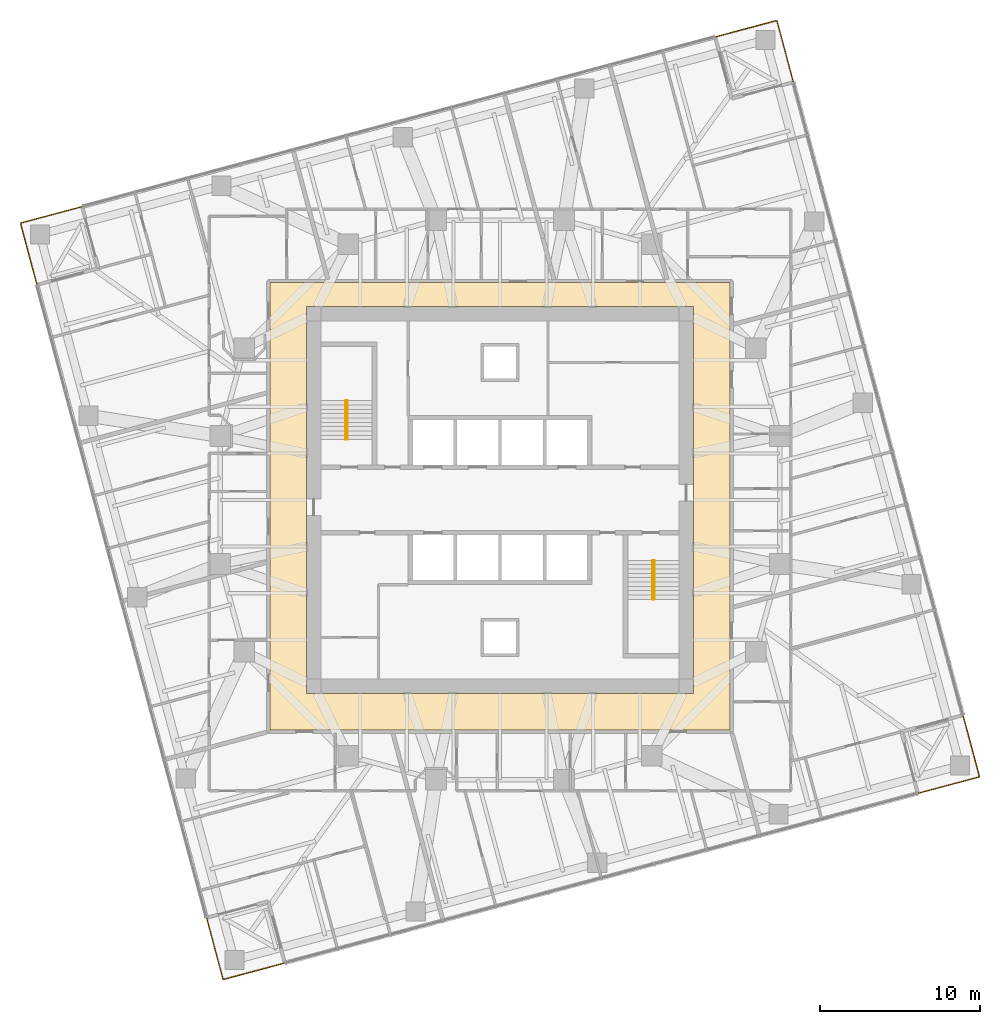
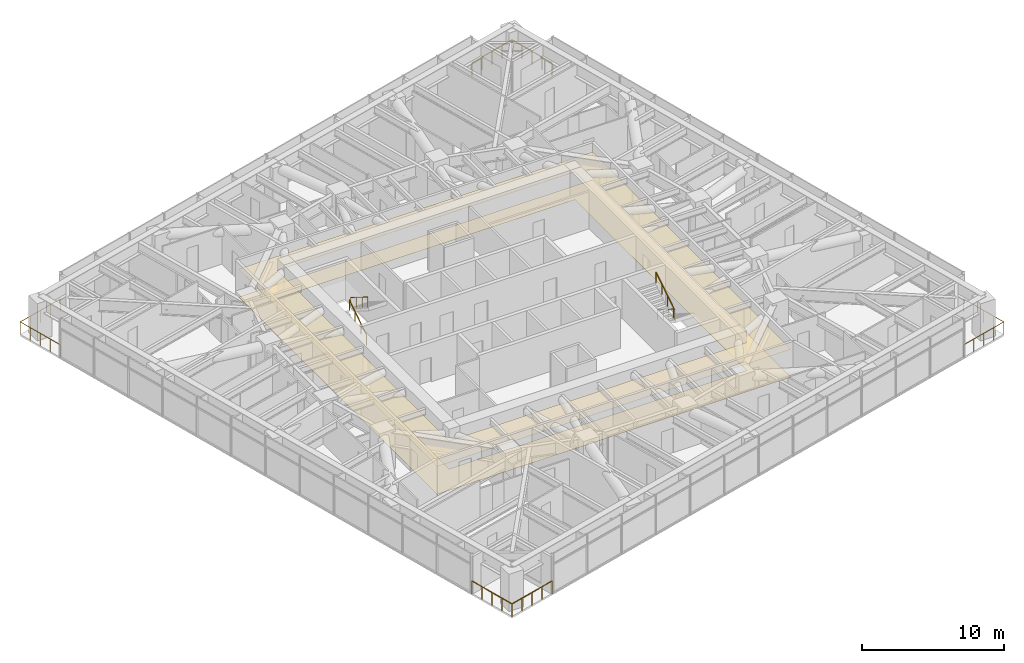
# One storey, part 18 of 18: 8 railings, 2 coverings, 2 elements without a shape of their own.
"""IFC4 building model written with IfcOpenShell, lengths in metres."""

import ifcopenshell
import ifcopenshell.guid

model = None  # the IFC model being written
_history = None  # IfcOwnerHistory: only IFC2X3 demands one
_inside = {}  # id of a spatial element -> (the spatial element, [elements in it])
_under = {}  # id of a project, library or spatial element -> (it, [spatial elements below it])
_declared = {}  # id of a project -> (the project, [libraries it declares])
_typed = {}  # id of a type object -> (the type object, [elements of that type])
_made_of = {}  # id of a material, layer set ... -> (it, [elements and type objects made of it])


def new_model(schema):
    """Start an empty IFC model of exactly this schema.

    Asked for "IFC4X3", IfcOpenShell would pick the latest addendum, in which some entities
    have other attributes; the version numbers below select the first issue.
    IFC2X3 requires an IfcOwnerHistory on every rooted entity: one is made here for all.
    """
    global model, _history
    if schema == "IFC4X3":
        model = ifcopenshell.file(schema_version=(4, 3, 0, 0))
    else:
        model = ifcopenshell.file(schema=schema)
    _inside.clear()
    _under.clear()
    _declared.clear()
    _typed.clear()
    _made_of.clear()
    _history = None
    if model.schema == "IFC2X3":
        org = make("IfcOrganization", Name="unknown")
        user = make(
            "IfcPersonAndOrganization",
            ThePerson=make("IfcPerson", FamilyName="unknown"),
            TheOrganization=org,
        )
        app = make(
            "IfcApplication",
            ApplicationDeveloper=org,
            Version="unknown",
            ApplicationFullName="unknown",
            ApplicationIdentifier="unknown",
        )
        _history = make(
            "IfcOwnerHistory",
            OwningUser=user,
            OwningApplication=app,
            ChangeAction="ADDED",
            CreationDate=0,
        )
    return model


def make(cls, **values):
    """One entity of the class cls with the attributes given. An attribute that is None is left unset."""
    return model.create_entity(
        cls, **{name: value for name, value in values.items() if value is not None}
    )


def rooted(cls, **values):
    """An entity with a GlobalId (a new one), such as an element, a storey or a relation."""
    return make(cls, GlobalId=ifcopenshell.guid.new(), OwnerHistory=_history, **values)


def si_unit(unit_type, name, prefix=None):
    """IfcSIUnit, for example si_unit("LENGTHUNIT", "METRE", prefix="MILLI")."""
    return make("IfcSIUnit", UnitType=unit_type, Prefix=prefix, Name=name)


def assignment(units):
    """IfcUnitAssignment: the units of a project."""
    return None if units is None else make("IfcUnitAssignment", Units=units)


def point(xyz):
    """IfcCartesianPoint."""
    return None if xyz is None else make("IfcCartesianPoint", Coordinates=xyz)


def direction(xyz):
    """IfcDirection."""
    return None if xyz is None else make("IfcDirection", DirectionRatios=xyz)


def frame(location, z_axis=None, x_axis=None):
    """IfcAxis2Placement3D, a coordinate frame: its origin and axes. An axis left out is left unset."""
    return make(
        "IfcAxis2Placement3D",
        Location=point(location),
        Axis=direction(z_axis),
        RefDirection=direction(x_axis),
    )


def frame_2d(location, x_axis=None):
    """IfcAxis2Placement2D, a coordinate frame in the plane: its origin and x axis."""
    return make(
        "IfcAxis2Placement2D", Location=point(location), RefDirection=direction(x_axis)
    )


def origin():
    """The frame at (0, 0, 0) with its axes left unset."""
    return frame((0.0, 0.0, 0.0))


def origin_2d():
    """The frame at (0, 0) in the plane with its x axis left unset."""
    return frame_2d((0.0, 0.0))


def place(relative_to, where):
    """IfcLocalPlacement: puts the frame where relative to a parent placement (None: the world)."""
    return make(
        "IfcLocalPlacement", PlacementRelTo=relative_to, RelativePlacement=where
    )


def context(
    kind, dimensions, precision=None, world=None, true_north=None, identifier=None
):
    """IfcGeometricRepresentationContext, for example the 3D "Model" context."""
    return make(
        "IfcGeometricRepresentationContext",
        ContextIdentifier=identifier,
        ContextType=kind,
        CoordinateSpaceDimension=dimensions,
        Precision=precision,
        WorldCoordinateSystem=world,
        TrueNorth=true_north,
    )


def subcontext(parent, identifier, kind, view, scale=None):
    """IfcGeometricRepresentationSubContext, for example "Body" below "Model"."""
    return make(
        "IfcGeometricRepresentationSubContext",
        ContextIdentifier=identifier,
        ContextType=kind,
        ParentContext=parent,
        TargetScale=scale,
        TargetView=view,
    )


def project(units=None, contexts=None):
    """IfcProject with its units and contexts."""
    return rooted(
        "IfcProject",
        Name="project",
        RepresentationContexts=contexts,
        UnitsInContext=assignment(units),
    )


def spatial(cls, under=None, at=None, **own):
    """A site, building, storey or space (cls), placed at a placement, below another one or the project."""
    s = rooted(cls, ObjectPlacement=at, **own)
    if under is not None:
        _under.setdefault(under.id(), (under, []))[1].append(s)
    return s


def polyline(points):
    """IfcPolyline through the points."""
    return make("IfcPolyline", Points=[point(p) for p in points])


def profile(cls, at=None, kind="AREA", **sizes):
    """A parametric profile (cls). Its sizes go by their IFC names, for example OverallWidth=200.0."""
    return make(cls, ProfileType=kind, Position=at, **sizes)


def circle(**sizes):
    """IfcCircleProfileDef."""
    return profile("IfcCircleProfileDef", **sizes)


def outline(outer, holes=None, kind="AREA"):
    """IfcArbitraryClosedProfileDef: a profile drawn as a closed curve; with holes, ...WithVoids."""
    if holes is None:
        return make("IfcArbitraryClosedProfileDef", ProfileType=kind, OuterCurve=outer)
    return make(
        "IfcArbitraryProfileDefWithVoids",
        ProfileType=kind,
        OuterCurve=outer,
        InnerCurves=holes,
    )


def extrude(swept, where, along, depth):
    """IfcExtrudedAreaSolid: the profile swept, set in the frame where, extruded along a direction by depth."""
    return make(
        "IfcExtrudedAreaSolid",
        SweptArea=swept,
        Position=where,
        ExtrudedDirection=direction(along),
        Depth=depth,
    )


def shape(context_of_items, identifier, shape_type, items):
    """IfcShapeRepresentation: the items that make up one representation, for example the "Body"."""
    return make(
        "IfcShapeRepresentation",
        ContextOfItems=context_of_items,
        RepresentationIdentifier=identifier,
        RepresentationType=shape_type,
        Items=items,
    )


def material(Name=None, Category=None):
    """IfcMaterial."""
    return make("IfcMaterial", Name=Name, Category=Category)


def layer(
    of_material, thickness, ventilated=None, Name=None, Category=None, Priority=None
):
    """IfcMaterialLayer: one layer of a wall or slab, of a material (None: an air gap)."""
    return make(
        "IfcMaterialLayer",
        Material=of_material,
        LayerThickness=thickness,
        IsVentilated=ventilated,
        Name=Name,
        Category=Category,
        Priority=Priority,
    )


def layer_set(layers, Name=None):
    """IfcMaterialLayerSet."""
    return make("IfcMaterialLayerSet", MaterialLayers=layers, LayerSetName=Name)


def made_of(thing, what):
    """Note that an element or type object is made of a material, layer set ...; save() writes the relation."""
    if what is not None:
        _made_of.setdefault(what.id(), (what, []))[1].append(thing)
    return thing


def type_object(cls, material=None, **own):
    """A type object (cls), such as IfcWallType, which elements share."""
    return made_of(rooted(cls, **own), material)


def element(
    cls,
    number,
    at=None,
    inside=None,
    cuts=None,
    type_object=None,
    material=None,
    context=None,
    identifier="Body",
    shape_type=None,
    held_by="IfcProductDefinitionShape",
    body=None,
    shapes=None,
    **own,
):
    """One element of the class cls, such as IfcWall. Its Tag is "e" and its number.

    at: its placement. inside: the storey or other place that contains it. cuts: it is an
    opening in that element (IfcRelVoidsElement). A single representation is given by context,
    identifier, shape_type and body (its items); several are given by shapes. held_by: the class
    of the entity that holds the representations. save() writes the other relations.
    """
    e = rooted(cls, Tag="e%d" % number, ObjectPlacement=at, **own)
    if body is not None:
        shapes = [shape(context, identifier, shape_type, body)]
    if shapes is not None:
        e.Representation = make(held_by, Representations=shapes)
    if inside is not None:
        _inside.setdefault(inside.id(), (inside, []))[1].append(e)
    if cuts is not None:
        rooted(
            "IfcRelVoidsElement", RelatingBuildingElement=cuts, RelatedOpeningElement=e
        )
    if type_object is not None:
        _typed.setdefault(type_object.id(), (type_object, []))[1].append(e)
    return made_of(e, material)


def aggregate(whole, parts):
    """IfcRelAggregates: a whole, such as a stair, and the parts it consists of."""
    return rooted("IfcRelAggregates", RelatingObject=whole, RelatedObjects=parts)


def save(model, path):
    """Write the relations noted so far, then the file.

    IfcRelAggregates (storeys below a building ...), IfcRelContainedInSpatialStructure (elements
    in a storey), IfcRelDefinesByType, IfcRelAssociatesMaterial and IfcRelDeclares: one each for
    every whole, place, type object, material and project.
    """
    for whole, parts in _under.values():
        aggregate(whole, parts)
    for where, things in _inside.values():
        rooted(
            "IfcRelContainedInSpatialStructure",
            RelatedElements=things,
            RelatingStructure=where,
        )
    for kind, things in _typed.values():
        rooted("IfcRelDefinesByType", RelatedObjects=things, RelatingType=kind)
    for what, things in _made_of.values():
        rooted("IfcRelAssociatesMaterial", RelatedObjects=things, RelatingMaterial=what)
    for by, libraries in _declared.values():
        rooted("IfcRelDeclares", RelatingContext=by, RelatedDefinitions=libraries)
    model.write(path)


model = new_model("IFC4")

# Units and contexts
model_context = context("Model", 3, precision=1e-05, world=origin(), true_north=direction((0.0, 1.0)))
body_context = subcontext(model_context, "Body", "Model", "MODEL_VIEW")
ifc_project = project(units=[si_unit("LENGTHUNIT", "METRE"), si_unit("AREAUNIT", "SQUARE_METRE"), si_unit("VOLUMEUNIT", "CUBIC_METRE"), si_unit("PLANEANGLEUNIT", "RADIAN"), si_unit("MASSUNIT", "GRAM", prefix="KILO")], contexts=[model_context])

# Site, building, storey
site_placement = place(None, origin())
site = spatial("IfcSite", under=ifc_project, at=site_placement, CompositionType="ELEMENT")
building_placement = place(site_placement, origin())
building = spatial("IfcBuilding", under=site, at=building_placement, Name="Torsade Residences", CompositionType="ELEMENT")
storey_placement = place(building_placement, frame((0.0, 0.0, 135.39990234375)))
storey = spatial("IfcBuildingStorey", under=building, at=storey_placement, Name="L37", CompositionType="ELEMENT", Elevation=135.39990234375)

# Coverings
ifc_material_1 = material(Name="Nylon carpet tile on underlay", Category="textile")
ifc_layer_1 = layer(ifc_material_1, 0.010009765625)
ifc_layer_set_1 = layer_set([ifc_layer_1], Name="Nylon carpet tile on underlay")
covering_type_1 = type_object("IfcCoveringType", Name="CORRIDOR CARPET TILE 10", PredefinedType="FLOORING", material=ifc_layer_set_1)
covering_1_placement = place(storey_placement, origin())
element("IfcCovering", 1, at=covering_1_placement, inside=storey, type_object=covering_type_1, Name="Corridor carpet L37", PredefinedType="FLOORING", context=body_context, shape_type="SweptSolid", body=[
    extrude(outline(polyline([(54.39990234375, 15.60009765625), (54.39990234375, 43.60009765625), (25.60009765625, 43.60009765625), (25.60009765625, 15.60009765625), (54.39990234375, 15.60009765625)]), holes=[polyline([(52.10009765625, 42.10009765625), (27.89990234375, 42.10009765625), (27.89990234375, 17.89990234375), (52.10009765625, 17.89990234375), (52.10009765625, 42.10009765625)])]), origin(), (0.0, 0.0, 1.0), 0.010009765625),
])
ifc_material_2 = material(Name="Plasterboard on suspended steel grid", Category="steel")
ifc_layer_2 = layer(ifc_material_2, 0.012939453125)
ifc_layer_set_2 = layer_set([ifc_layer_2], Name="Plasterboard on suspended steel grid")
covering_type_2 = type_object("IfcCoveringType", Name="CORRIDOR SUSPENDED CEILING 13", PredefinedType="CEILING", material=ifc_layer_set_2)
covering_2_placement = place(storey_placement, frame((0.0, 0.0, 2.400146484375)))
element("IfcCovering", 2, at=covering_2_placement, inside=storey, type_object=covering_type_2, Name="Corridor ceiling L37", PredefinedType="CEILING", context=body_context, shape_type="SweptSolid", body=[
    extrude(outline(polyline([(54.39990234375, 15.60009765625), (54.39990234375, 43.60009765625), (25.60009765625, 43.60009765625), (25.60009765625, 15.60009765625), (54.39990234375, 15.60009765625)]), holes=[polyline([(52.10009765625, 42.10009765625), (27.89990234375, 42.10009765625), (27.89990234375, 17.89990234375), (52.10009765625, 17.89990234375), (52.10009765625, 42.10009765625)])]), origin(), (0.0, 0.0, 1.0), 0.012939453125),
])

# Stair, railings
ifc_material_3 = material(Name="Precast concrete 40 MPa", Category="concrete")
stair_type = type_object("IfcStairType", Name="HALF-TURN FIRE STAIR 1500x3400", PredefinedType="HALF_TURN_STAIR", material=ifc_material_3)
stair_1_placement = place(storey_placement, origin())
stair_1 = element("IfcStair", 3, at=stair_1_placement, inside=storey, type_object=stair_type, Name="Stair ST1 L37", PredefinedType="HALF_TURN_STAIR")
ifc_material_4 = material(Name="Steel handrail", Category="steel")
railing_type_1 = type_object("IfcRailingType", Name="STAIR HANDRAIL 900", PredefinedType="HANDRAIL", material=ifc_material_4)
railing_1_placement = place(storey_placement, frame((30.35009765625, 33.780029296875, 0.170166015625)))
railing_1 = element("IfcRailing", 4, at=railing_1_placement, type_object=railing_type_1, Name="Handrail ST1 flight 1 L37", PredefinedType="HANDRAIL", context=body_context, shape_type="SweptSolid", body=[
    extrude(circle(Radius=0.02392578125, at=origin_2d()), frame((0.0, 0.0, 0.8759765625), z_axis=(0.0, 0.846221481393, 0.532831309544), x_axis=(-1.0, 0.0, 0.0)), (0.0, 0.0, 1.0), 2.87158203125),
    extrude(circle(Radius=0.02099609375, at=origin_2d()), origin(), (0.0, 0.0, 1.0), 0.851806640625),
    extrude(circle(Radius=0.02099609375, at=origin_2d()), frame((0.0, 0.81005859375, 0.510009765625)), (0.0, 0.0, 1.0), 0.851806640625),
    extrude(circle(Radius=0.02099609375, at=origin_2d()), frame((0.0, 1.619873046875, 1.02001953125)), (0.0, 0.0, 1.0), 0.851806640625),
    extrude(circle(Radius=0.02099609375, at=origin_2d()), frame((0.0, 2.429931640625, 1.530029296875)), (0.0, 0.0, 1.0), 0.851806640625),
])
railing_2_placement = place(storey_placement, frame((30.449951171875, 36.2099609375, 1.8701171875)))
railing_2 = element("IfcRailing", 5, at=railing_2_placement, type_object=railing_type_1, Name="Handrail ST1 flight 2 L37", PredefinedType="HANDRAIL", context=body_context, shape_type="SweptSolid", body=[
    extrude(circle(Radius=0.02392578125, at=origin_2d()), frame((0.0, 0.0, 0.8759765625), z_axis=(0.0, -0.846221481393, 0.532831309544), x_axis=(1.0, 0.0, 0.0)), (0.0, 0.0, 1.0), 2.87158203125),
    extrude(circle(Radius=0.02099609375, at=origin_2d()), origin(), (0.0, 0.0, 1.0), 0.851806640625),
    extrude(circle(Radius=0.02099609375, at=origin_2d()), frame((0.0, -0.81005859375, 0.510009765625)), (0.0, 0.0, 1.0), 0.851806640625),
    extrude(circle(Radius=0.02099609375, at=origin_2d()), frame((0.0, -1.619873046875, 1.02001953125)), (0.0, 0.0, 1.0), 0.851806640625),
    extrude(circle(Radius=0.02099609375, at=origin_2d()), frame((0.0, -2.429931640625, 1.530029296875)), (0.0, 0.0, 1.0), 0.851806640625),
])
aggregate(stair_1, [railing_1, railing_2])

stair_2_placement = place(storey_placement, origin())
stair_2 = element("IfcStair", 6, at=stair_2_placement, inside=storey, type_object=stair_type, Name="Stair ST2 L37", PredefinedType="HALF_TURN_STAIR")
railing_3_placement = place(storey_placement, frame((49.64990234375, 26.219970703125, 0.170166015625)))
railing_3 = element("IfcRailing", 7, at=railing_3_placement, type_object=railing_type_1, Name="Handrail ST2 flight 1 L37", PredefinedType="HANDRAIL", context=body_context, shape_type="SweptSolid", body=[
    extrude(circle(Radius=0.02392578125, at=origin_2d()), frame((0.0, 0.0, 0.8759765625), z_axis=(0.0, -0.846221481393, 0.532831309544), x_axis=(1.0, 0.0, 0.0)), (0.0, 0.0, 1.0), 2.87158203125),
    extrude(circle(Radius=0.02099609375, at=origin_2d()), origin(), (0.0, 0.0, 1.0), 0.851806640625),
    extrude(circle(Radius=0.02099609375, at=origin_2d()), frame((0.0, -0.81005859375, 0.510009765625)), (0.0, 0.0, 1.0), 0.851806640625),
    extrude(circle(Radius=0.02099609375, at=origin_2d()), frame((0.0, -1.619873046875, 1.02001953125)), (0.0, 0.0, 1.0), 0.851806640625),
    extrude(circle(Radius=0.02099609375, at=origin_2d()), frame((0.0, -2.429931640625, 1.530029296875)), (0.0, 0.0, 1.0), 0.851806640625),
])
railing_4_placement = place(storey_placement, frame((49.550048828125, 23.7900390625, 1.8701171875)))
railing_4 = element("IfcRailing", 8, at=railing_4_placement, type_object=railing_type_1, Name="Handrail ST2 flight 2 L37", PredefinedType="HANDRAIL", context=body_context, shape_type="SweptSolid", body=[
    extrude(circle(Radius=0.02392578125, at=origin_2d()), frame((0.0, 0.0, 0.8759765625), z_axis=(0.0, 0.846221481393, 0.532831309544), x_axis=(-1.0, 0.0, 0.0)), (0.0, 0.0, 1.0), 2.87158203125),
    extrude(circle(Radius=0.02099609375, at=origin_2d()), origin(), (0.0, 0.0, 1.0), 0.851806640625),
    extrude(circle(Radius=0.02099609375, at=origin_2d()), frame((0.0, 0.81005859375, 0.510009765625)), (0.0, 0.0, 1.0), 0.851806640625),
    extrude(circle(Radius=0.02099609375, at=origin_2d()), frame((0.0, 1.619873046875, 1.02001953125)), (0.0, 0.0, 1.0), 0.851806640625),
    extrude(circle(Radius=0.02099609375, at=origin_2d()), frame((0.0, 2.429931640625, 1.530029296875)), (0.0, 0.0, 1.0), 0.851806640625),
])
aggregate(stair_2, [railing_3, railing_4])

# Railings
ifc_material_5 = material(Name="Laminated glass balustrade", Category="glass")
railing_type_2 = type_object("IfcRailingType", Name="TERRACE GLASS BALUSTRADE 1100", PredefinedType="BALUSTRADE", material=ifc_material_5)
railing_5_placement = place(storey_placement, frame((66.142578125, 11.640625, 0.0)))
element("IfcRailing", 9, at=railing_5_placement, inside=storey, type_object=railing_type_2, Name="Terrace balustrade SE L37", PredefinedType="BALUSTRADE", context=body_context, shape_type="SweptSolid", body=[
    extrude(circle(Radius=0.02392578125, at=origin_2d()), frame((0.0, 0.0, 1.076171875), z_axis=(0.965934430412, 0.258786931944, 0.0), x_axis=(-0.258786931944, 0.965934430412, 0.0)), (0.0, 0.0, 1.0), 4.0),
    extrude(circle(Radius=0.02392578125, at=origin_2d()), frame((3.86376953125, 1.03515625, 1.076171875), z_axis=(-0.258843877716, 0.965919172068, 0.0), x_axis=(-0.965919172068, -0.258843877716, 0.0)), (0.0, 0.0, 1.0), 4.0),
    extrude(circle(Radius=0.02099609375, at=origin_2d()), origin(), (0.0, 0.0, 1.0), 1.052001953125),
    extrude(circle(Radius=0.02099609375, at=origin_2d()), frame((0.9658203125, 0.2587890625, 0.0)), (0.0, 0.0, 1.0), 1.052001953125),
    extrude(circle(Radius=0.02099609375, at=origin_2d()), frame((1.931884765625, 0.517578125, 0.0)), (0.0, 0.0, 1.0), 1.052001953125),
    extrude(circle(Radius=0.02099609375, at=origin_2d()), frame((2.89794921875, 0.7763671875, 0.0)), (0.0, 0.0, 1.0), 1.052001953125),
    extrude(circle(Radius=0.02099609375, at=origin_2d()), frame((3.86376953125, 1.03515625, 0.0)), (0.0, 0.0, 1.0), 1.052001953125),
    extrude(circle(Radius=0.02099609375, at=origin_2d()), frame((3.60498046875, 2.0009765625, 0.0)), (0.0, 0.0, 1.0), 1.052001953125),
    extrude(circle(Radius=0.02099609375, at=origin_2d()), frame((3.34619140625, 2.967041015625, 0.0)), (0.0, 0.0, 1.0), 1.052001953125),
    extrude(circle(Radius=0.02099609375, at=origin_2d()), frame((3.087158203125, 3.93310546875, 0.0)), (0.0, 0.0, 1.0), 1.052001953125),
    extrude(circle(Radius=0.02099609375, at=origin_2d()), frame((2.828369140625, 4.89892578125, 0.0)), (0.0, 0.0, 1.0), 1.052001953125),
])
railing_6_placement = place(storey_placement, frame((58.359375, 56.142578125, 0.0)))
element("IfcRailing", 10, at=railing_6_placement, inside=storey, type_object=railing_type_2, Name="Terrace balustrade NE L37", PredefinedType="BALUSTRADE", context=body_context, shape_type="SweptSolid", body=[
    extrude(circle(Radius=0.02392578125, at=origin_2d()), frame((0.0, 0.0, 1.076171875), z_axis=(-0.258786931944, 0.965934430412, 0.0), x_axis=(-0.965934430412, -0.258786931944, 0.0)), (0.0, 0.0, 1.0), 4.0),
    extrude(circle(Radius=0.02392578125, at=origin_2d()), frame((-1.03515625, 3.86376953125, 1.076171875), z_axis=(-0.965919172068, -0.258843877716, 0.0), x_axis=(0.258843877716, -0.965919172068, 0.0)), (0.0, 0.0, 1.0), 4.0),
    extrude(circle(Radius=0.02099609375, at=origin_2d()), origin(), (0.0, 0.0, 1.0), 1.052001953125),
    extrude(circle(Radius=0.02099609375, at=origin_2d()), frame((-0.2587890625, 0.9658203125, 0.0)), (0.0, 0.0, 1.0), 1.052001953125),
    extrude(circle(Radius=0.02099609375, at=origin_2d()), frame((-0.517578125, 1.931884765625, 0.0)), (0.0, 0.0, 1.0), 1.052001953125),
    extrude(circle(Radius=0.02099609375, at=origin_2d()), frame((-0.7763671875, 2.89794921875, 0.0)), (0.0, 0.0, 1.0), 1.052001953125),
    extrude(circle(Radius=0.02099609375, at=origin_2d()), frame((-1.03515625, 3.86376953125, 0.0)), (0.0, 0.0, 1.0), 1.052001953125),
    extrude(circle(Radius=0.02099609375, at=origin_2d()), frame((-2.0009765625, 3.60498046875, 0.0)), (0.0, 0.0, 1.0), 1.052001953125),
    extrude(circle(Radius=0.02099609375, at=origin_2d()), frame((-2.967041015625, 3.34619140625, 0.0)), (0.0, 0.0, 1.0), 1.052001953125),
    extrude(circle(Radius=0.02099609375, at=origin_2d()), frame((-3.93310546875, 3.087158203125, 0.0)), (0.0, 0.0, 1.0), 1.052001953125),
    extrude(circle(Radius=0.02099609375, at=origin_2d()), frame((-4.89892578125, 2.828369140625, 0.0)), (0.0, 0.0, 1.0), 1.052001953125),
])
railing_7_placement = place(storey_placement, frame((13.857421875, 48.359375, 0.0)))
element("IfcRailing", 11, at=railing_7_placement, inside=storey, type_object=railing_type_2, Name="Terrace balustrade NW L37", PredefinedType="BALUSTRADE", context=body_context, shape_type="SweptSolid", body=[
    extrude(circle(Radius=0.02392578125, at=origin_2d()), frame((0.0, 0.0, 1.076171875), z_axis=(-0.965934430412, -0.258786931944, 0.0), x_axis=(0.258786931944, -0.965934430412, 0.0)), (0.0, 0.0, 1.0), 4.0),
    extrude(circle(Radius=0.02392578125, at=origin_2d()), frame((-3.86376953125, -1.03515625, 1.076171875), z_axis=(0.258843877716, -0.965919172068, 0.0), x_axis=(0.965919172068, 0.258843877716, 0.0)), (0.0, 0.0, 1.0), 4.0),
    extrude(circle(Radius=0.02099609375, at=origin_2d()), origin(), (0.0, 0.0, 1.0), 1.052001953125),
    extrude(circle(Radius=0.02099609375, at=origin_2d()), frame((-0.9658203125, -0.2587890625, 0.0)), (0.0, 0.0, 1.0), 1.052001953125),
    extrude(circle(Radius=0.02099609375, at=origin_2d()), frame((-1.931884765625, -0.517578125, 0.0)), (0.0, 0.0, 1.0), 1.052001953125),
    extrude(circle(Radius=0.02099609375, at=origin_2d()), frame((-2.89794921875, -0.7763671875, 0.0)), (0.0, 0.0, 1.0), 1.052001953125),
    extrude(circle(Radius=0.02099609375, at=origin_2d()), frame((-3.86376953125, -1.03515625, 0.0)), (0.0, 0.0, 1.0), 1.052001953125),
    extrude(circle(Radius=0.02099609375, at=origin_2d()), frame((-3.60498046875, -2.0009765625, 0.0)), (0.0, 0.0, 1.0), 1.052001953125),
    extrude(circle(Radius=0.02099609375, at=origin_2d()), frame((-3.34619140625, -2.967041015625, 0.0)), (0.0, 0.0, 1.0), 1.052001953125),
    extrude(circle(Radius=0.02099609375, at=origin_2d()), frame((-3.087158203125, -3.93310546875, 0.0)), (0.0, 0.0, 1.0), 1.052001953125),
    extrude(circle(Radius=0.02099609375, at=origin_2d()), frame((-2.828369140625, -4.89892578125, 0.0)), (0.0, 0.0, 1.0), 1.052001953125),
])
railing_8_placement = place(storey_placement, frame((21.640625, 3.857421875, 0.0)))
element("IfcRailing", 12, at=railing_8_placement, inside=storey, type_object=railing_type_2, Name="Terrace balustrade SW L37", PredefinedType="BALUSTRADE", context=body_context, shape_type="SweptSolid", body=[
    extrude(circle(Radius=0.02392578125, at=origin_2d()), frame((0.0, 0.0, 1.076171875), z_axis=(0.258786931944, -0.965934430412, 0.0), x_axis=(0.965934430412, 0.258786931944, 0.0)), (0.0, 0.0, 1.0), 4.0),
    extrude(circle(Radius=0.02392578125, at=origin_2d()), frame((1.03515625, -3.86376953125, 1.076171875), z_axis=(0.965919172068, 0.258843877716, 0.0), x_axis=(-0.258843877716, 0.965919172068, 0.0)), (0.0, 0.0, 1.0), 4.0),
    extrude(circle(Radius=0.02099609375, at=origin_2d()), origin(), (0.0, 0.0, 1.0), 1.052001953125),
    extrude(circle(Radius=0.02099609375, at=origin_2d()), frame((0.2587890625, -0.9658203125, 0.0)), (0.0, 0.0, 1.0), 1.052001953125),
    extrude(circle(Radius=0.02099609375, at=origin_2d()), frame((0.517578125, -1.931884765625, 0.0)), (0.0, 0.0, 1.0), 1.052001953125),
    extrude(circle(Radius=0.02099609375, at=origin_2d()), frame((0.7763671875, -2.89794921875, 0.0)), (0.0, 0.0, 1.0), 1.052001953125),
    extrude(circle(Radius=0.02099609375, at=origin_2d()), frame((1.03515625, -3.86376953125, 0.0)), (0.0, 0.0, 1.0), 1.052001953125),
    extrude(circle(Radius=0.02099609375, at=origin_2d()), frame((2.0009765625, -3.60498046875, 0.0)), (0.0, 0.0, 1.0), 1.052001953125),
    extrude(circle(Radius=0.02099609375, at=origin_2d()), frame((2.967041015625, -3.34619140625, 0.0)), (0.0, 0.0, 1.0), 1.052001953125),
    extrude(circle(Radius=0.02099609375, at=origin_2d()), frame((3.93310546875, -3.087158203125, 0.0)), (0.0, 0.0, 1.0), 1.052001953125),
    extrude(circle(Radius=0.02099609375, at=origin_2d()), frame((4.89892578125, -2.828369140625, 0.0)), (0.0, 0.0, 1.0), 1.052001953125),
])

save(model, "model.ifc")
